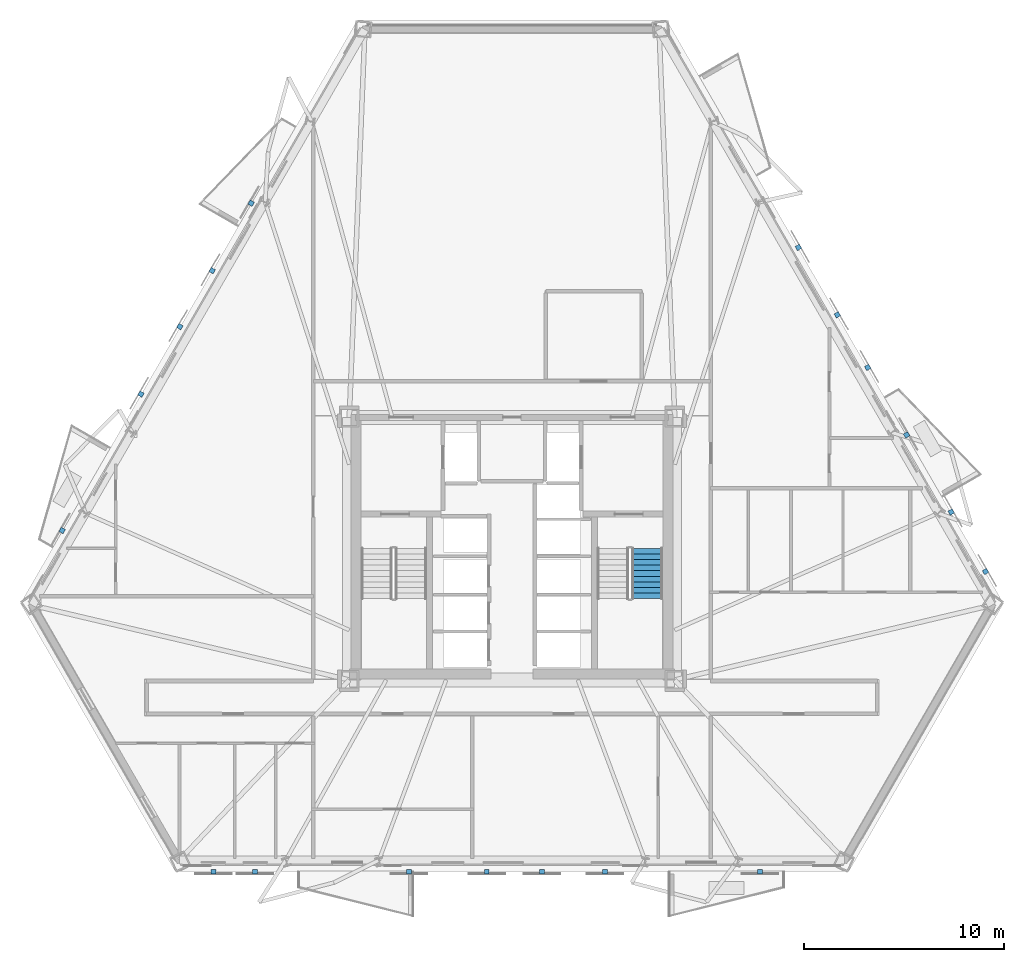
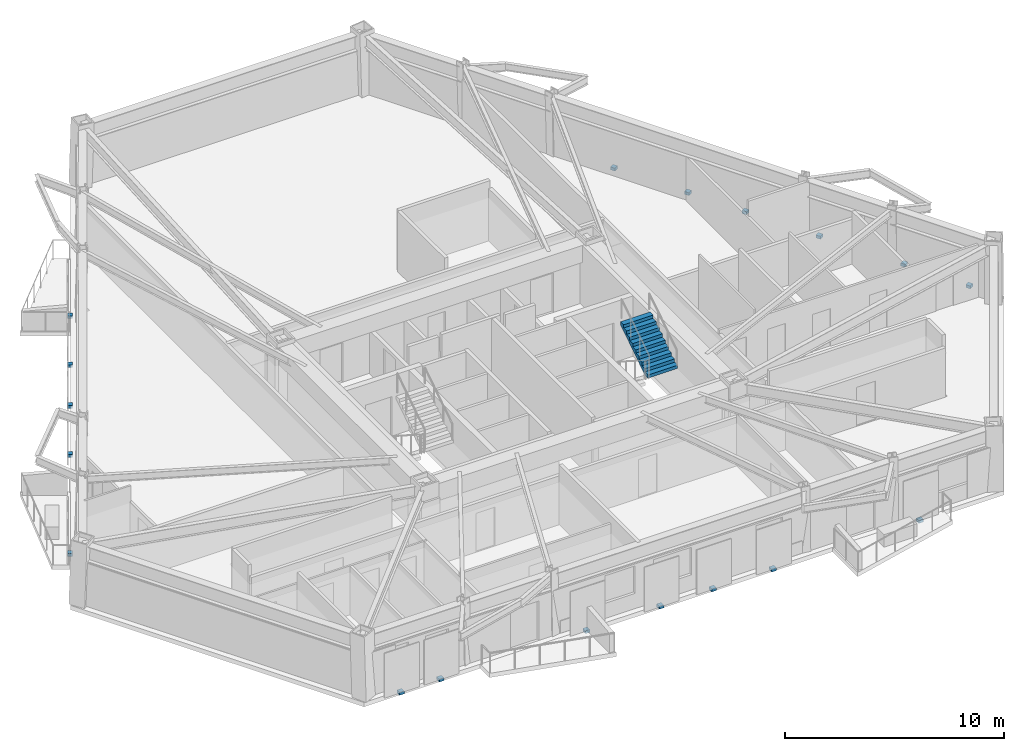
# One storey, part 6 of 12: 18 discrete accessories, 1 stair flight, 1 element without a shape of its own.
"""IFC4 building model written with IfcOpenShell, lengths in metres."""

from ifc_helpers import new_model, si_unit, direction, frame, origin, origin_2d, place, context, subcontext, project, spatial, polyline, rectangle, outline, extrude, material, type_object, element, aggregate, save


model = new_model("IFC4")

# Units and contexts
model_context = context("Model", 3, precision=1e-05, world=origin(), true_north=direction((0.0, 1.0)))
body_context = subcontext(model_context, "Body", "Model", "MODEL_VIEW")
ifc_project = project(units=[si_unit("LENGTHUNIT", "METRE"), si_unit("AREAUNIT", "SQUARE_METRE"), si_unit("VOLUMEUNIT", "CUBIC_METRE"), si_unit("PLANEANGLEUNIT", "RADIAN"), si_unit("MASSUNIT", "GRAM", prefix="KILO")], contexts=[model_context])

# Site, building, storey
site_placement = place(None, origin())
site = spatial("IfcSite", under=ifc_project, at=site_placement, CompositionType="ELEMENT")
building_placement = place(site_placement, origin())
building = spatial("IfcBuilding", under=site, at=building_placement, Name="Oramaril Tower", CompositionType="ELEMENT")
storey_placement = place(building_placement, frame((0.0, 0.0, 45.300048828125)))
storey = spatial("IfcBuildingStorey", under=building, at=storey_placement, Name="L11", CompositionType="ELEMENT", Elevation=45.300048828125)

# Stair, stair flight
ifc_material_1 = material(Name="Concrete C50/60", Category="concrete")
stair_type = type_object("IfcStairType", Name="STT-DG-3600", PredefinedType="HALF_TURN_STAIR", material=ifc_material_1)
stair_placement = place(storey_placement, origin())
stair = element("IfcStair", 1, at=stair_placement, inside=storey, type_object=stair_type, Name="L11 Protected PFP Exit Stair ST-2", PredefinedType="HALF_TURN_STAIR")
ifc_material_2 = material(Name="Concrete C50/60", Category="concrete")
stair_flight_type = type_object("IfcStairFlightType", Name="SFT-DG-3600", PredefinedType="STRAIGHT", material=ifc_material_2)
stair_flight_placement = place(storey_placement, frame((44.27001953125, 15.070068359375, 1.800048828125), z_axis=(0.0, 0.0, 1.0), x_axis=(0.0, 1.0, 0.0)))
stair_flight = element("IfcStairFlight", 2, at=stair_flight_placement, type_object=stair_flight_type, Name="ST-2 flight 2", NumberOfRisers=10, NumberOfTreads=9, PredefinedType="STRAIGHT", RiserHeight=0.18, TreadLength=0.28, context=body_context, shape_type="SweptSolid", body=[
    extrude(outline(polyline([(0.0, 0.0), (0.0, 0.179931640625), (0.280029296875, 0.179931640625), (0.280029296875, 0.360107421875), (0.56005859375, 0.360107421875), (0.56005859375, 0.5400390625), (0.840087890625, 0.5400390625), (0.840087890625, 0.719970703125), (1.1201171875, 0.719970703125), (1.1201171875, 0.89990234375), (1.39990234375, 0.89990234375), (1.39990234375, 1.080078125), (1.679931640625, 1.080078125), (1.679931640625, 1.260009765625), (1.9599609375, 1.260009765625), (1.9599609375, 1.43994140625), (2.239990234375, 1.43994140625), (2.239990234375, 1.6201171875), (2.52001953125, 1.6201171875), (2.52001953125, 1.800048828125), (2.52001953125, 1.44189453125), (0.277099609375, 0.0), (0.0, 0.0)])), frame((0.0, 0.780029296875, 0.0), z_axis=(0.0, -1.0, 0.0), x_axis=(1.0, 0.0, 0.0)), (0.0, 0.0, 1.0), 1.56005859375),
])
aggregate(stair, [stair_flight])

# Discrete accessories
for number, where, z_axis, x_axis, name in (
    (3, (32.338623046875, 1.397705078125, -0.14013671875), (0.0, 0.0, 1.0), (1.0, 0.0, 0.0), "L11 Solar Screen Slab Bracket"),
    (4, (36.238525390625, 1.397705078125, -0.14013671875), (0.0, 0.0, 1.0), (1.0, 0.0, 0.0), "L11 Solar Screen Slab Bracket"),
    (5, (39.004150390625, 1.397705078125, -0.14013671875), (0.0, 0.0, 1.0), (1.0, 0.0, 0.0), "L11 Solar Screen Slab Bracket"),
    (6, (42.163818359375, 1.397705078125, -0.14013671875), (0.0, 0.0, 1.0), (1.0, 0.0, 0.0), "L11 Solar Screen Slab Bracket"),
    (7, (22.547607421875, 1.397705078125, -0.14013671875), (0.0, 0.0, 1.0), (1.0, 0.0, 0.0), "L11 Solar Screen Slab Bracket"),
    (8, (24.635009765625, 1.397705078125, -0.14013671875), (0.0, 0.0, 1.0), (1.0, 0.0, 0.0), "L11 Solar Screen Slab Bracket"),
    (9, (49.917236328125, 1.397705078125, -0.14013671875), (0.0, 0.0, 1.0), (1.0, 0.0, 0.0), "L11 Solar Screen Slab Bracket"),
    (10, (61.214599609375, 16.4296875, -0.14013671875), (0.0, 0.0, 1.0), (-0.500001511499, 0.866024531118, 0.0), "L11 Solar Screen Slab Bracket"),
    (11, (59.493896484375, 19.40966796875, -0.14013671875), (0.0, 0.0, 1.0), (-0.500001511499, 0.866024531118, 0.0), "L11 Solar Screen Slab Bracket"),
    (12, (53.79248046875, 29.28466796875, -0.14013671875), (0.0, 0.0, 1.0), (-0.500001511499, 0.866024531118, 0.0), "L11 Solar Screen Slab Bracket"),
    (13, (51.842529296875, 32.662109375, -0.14013671875), (0.0, 0.0, 1.0), (-0.500001511499, 0.866024531118, 0.0), "L11 Solar Screen Slab Bracket"),
    (14, (57.263427734375, 23.27294921875, -0.14013671875), (0.0, 0.0, 1.0), (-0.500001511499, 0.866024531118, 0.0), "L11 Solar Screen Slab Bracket"),
    (15, (55.3134765625, 26.650390625, -0.14013671875), (0.0, 0.0, 1.0), (-0.500001511499, 0.866024531118, 0.0), "L11 Solar Screen Slab Bracket"),
    (16, (24.436279296875, 34.877197265625, -0.14013671875), (0.0, 0.0, 1.0), (-0.500001511499, -0.866024531118, 0.0), "L11 Solar Screen Slab Bracket"),
    (17, (22.486083984375, 31.49951171875, -0.14013671875), (0.0, 0.0, 1.0), (-0.500001511499, -0.866024531118, 0.0), "L11 Solar Screen Slab Bracket"),
    (18, (20.866455078125, 28.6943359375, -0.14013671875), (0.0, 0.0, 1.0), (-0.500001511499, -0.866024531118, 0.0), "L11 Solar Screen Slab Bracket"),
    (19, (18.91650390625, 25.31689453125, -0.14013671875), (0.0, 0.0, 1.0), (-0.500001511499, -0.866024531118, 0.0), "L11 Solar Screen Slab Bracket"),
    (20, (14.971923828125, 18.48486328125, -0.14013671875), (0.0, 0.0, 1.0), (-0.500001511499, -0.866024531118, 0.0), "L11 Solar Screen Slab Bracket"),
):
    element("IfcDiscreteAccessory", number, at=place(storey_placement, frame(where, z_axis=z_axis, x_axis=x_axis)), inside=storey, Name=name, PredefinedType="BRACKET", context=body_context, shape_type="SweptSolid", body=[
        extrude(rectangle(XDim=0.239990234375, YDim=0.239990234375, at=origin_2d()), origin(), (0.0, 0.0, 1.0), 0.159912109375),
    ])

save(model, "model.ifc")
